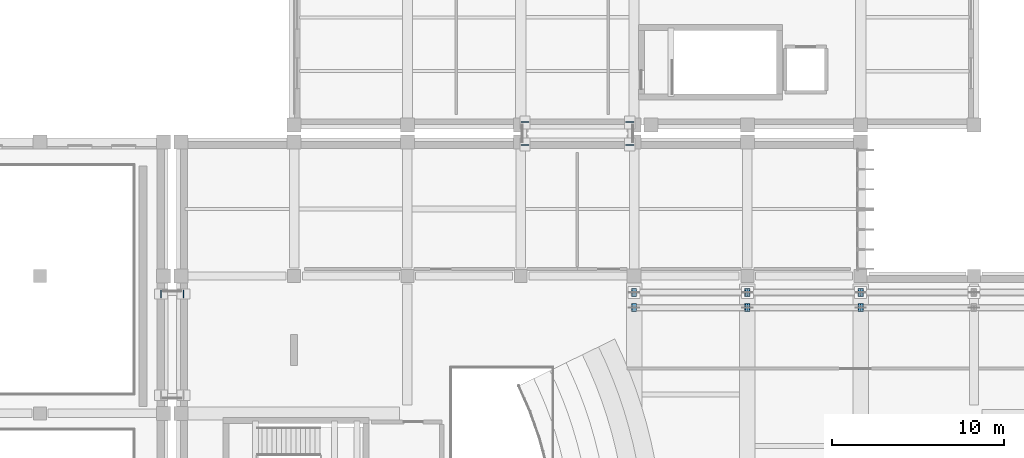
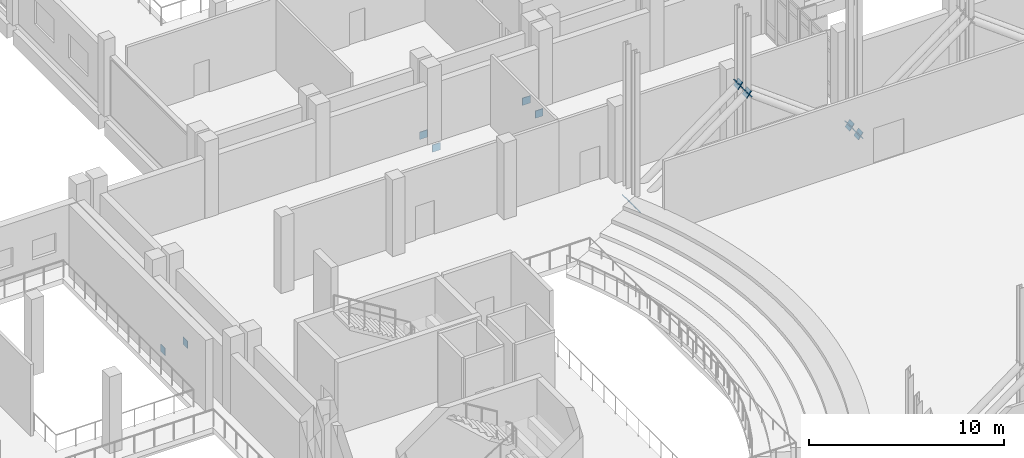
# One storey, part 60 of 73: 16 discrete accessories.
"""IFC4 building model written with IfcOpenShell, lengths in metres."""

from ifc_helpers import new_model, si_unit, direction, frame, origin, origin_2d, place, context, subcontext, project, spatial, rectangle, extrude, material, material_profile, profile_set, type_object, element, save


model = new_model("IFC4")

# Units and contexts
model_context = context("Model", 3, precision=1e-05, world=origin(), true_north=direction((0.0, 1.0)))
body_context = subcontext(model_context, "Body", "Model", "MODEL_VIEW")
ifc_project = project(units=[si_unit("LENGTHUNIT", "METRE"), si_unit("AREAUNIT", "SQUARE_METRE"), si_unit("VOLUMEUNIT", "CUBIC_METRE"), si_unit("PLANEANGLEUNIT", "RADIAN"), si_unit("MASSUNIT", "GRAM", prefix="KILO")], contexts=[model_context])

# Site, building, storey
site_placement = place(None, origin())
site = spatial("IfcSite", under=ifc_project, at=site_placement, CompositionType="ELEMENT")
building_placement = place(site_placement, origin())
building = spatial("IfcBuilding", under=site, at=building_placement, Name="Kelarvand Opera House", CompositionType="ELEMENT")
storey_placement = place(building_placement, frame((0.0, 0.0, 10.199951171875)))
storey = spatial("IfcBuildingStorey", under=building, at=storey_placement, Name="L02", CompositionType="ELEMENT", Elevation=10.199951171875)

# Discrete accessories
ifc_material = material(Name="Steel S355", Category="steel")
ifc_material_profile_1 = material_profile(ifc_material, rectangle(XDim=0.4599609375, YDim=0.4599609375, at=origin_2d()), Name="Welded Steel Hollow End-Cap Plate 460x460x24", Category="steel")
ifc_profile_set_1 = profile_set([ifc_material_profile_1], Name="Steel S355")
discrete_accessory_type_1 = type_object("IfcDiscreteAccessoryType", Name="Welded Steel Hollow End-Cap Plate 460x460x24", PredefinedType="SHOE", material=ifc_profile_set_1)
for number, where, z_axis, x_axis, name in (
    (1, (87.85791015625, 77.35009765625, -0.52001953125), (-1.0, 0.0, 0.0), (0.0, -1.0, 0.0), "Hollow Section Welded End Cap 43"),
    (2, (89.14208984375, 77.35009765625, -0.52001953125), (1.0, 0.0, 0.0), (0.0, 1.0, 0.0), "Hollow Section Welded End Cap 44"),
):
    element("IfcDiscreteAccessory", number, at=place(storey_placement, frame(where, z_axis=z_axis, x_axis=x_axis)), inside=storey, type_object=discrete_accessory_type_1, Name=name, PredefinedType="SHOE", context=body_context, shape_type="SweptSolid", body=[
        extrude(rectangle(XDim=0.4599609375, YDim=0.4599609375, at=origin_2d()), origin(), (0.0, 0.0, 1.0), 0.035888671875),
    ])
discrete_accessory_1_placement = place(storey_placement, frame((109.050048828125, 86.05810546875, -0.52001953125), z_axis=(0.0, -1.0, 0.0), x_axis=(1.0, 0.0, 0.0)))
element("IfcDiscreteAccessory", 3, at=discrete_accessory_1_placement, inside=storey, type_object=discrete_accessory_type_1, Name="Hollow Section Welded End Cap 113", PredefinedType="SHOE", context=body_context, shape_type="SweptSolid", body=[
    extrude(rectangle(XDim=0.4599609375, YDim=0.4599609375, at=origin_2d()), origin(), (0.0, 0.0, 1.0), 0.0361328125),
])
discrete_accessory_2_placement = place(storey_placement, frame((109.050048828125, 87.342041015625, -0.52001953125), z_axis=(0.0, 1.0, 0.0), x_axis=(-1.0, 0.0, 0.0)))
element("IfcDiscreteAccessory", 4, at=discrete_accessory_2_placement, inside=storey, type_object=discrete_accessory_type_1, Name="Hollow Section Welded End Cap 114", PredefinedType="SHOE", context=body_context, shape_type="SweptSolid", body=[
    extrude(rectangle(XDim=0.4599609375, YDim=0.4599609375, at=origin_2d()), origin(), (0.0, 0.0, 1.0), 0.035888671875),
])
discrete_accessory_3_placement = place(storey_placement, frame((115.14990234375, 86.05810546875, -0.52001953125), z_axis=(0.0, -1.0, 0.0), x_axis=(1.0, 0.0, 0.0)))
element("IfcDiscreteAccessory", 5, at=discrete_accessory_3_placement, inside=storey, type_object=discrete_accessory_type_1, Name="Hollow Section Welded End Cap 115", PredefinedType="SHOE", context=body_context, shape_type="SweptSolid", body=[
    extrude(rectangle(XDim=0.4599609375, YDim=0.4599609375, at=origin_2d()), origin(), (0.0, 0.0, 1.0), 0.0361328125),
])
discrete_accessory_4_placement = place(storey_placement, frame((115.14990234375, 87.342041015625, -0.52001953125), z_axis=(0.0, 1.0, 0.0), x_axis=(-1.0, 0.0, 0.0)))
element("IfcDiscreteAccessory", 6, at=discrete_accessory_4_placement, inside=storey, type_object=discrete_accessory_type_1, Name="Hollow Section Welded End Cap 116", PredefinedType="SHOE", context=body_context, shape_type="SweptSolid", body=[
    extrude(rectangle(XDim=0.4599609375, YDim=0.4599609375, at=origin_2d()), origin(), (0.0, 0.0, 1.0), 0.035888671875),
])
ifc_material_profile_2 = material_profile(ifc_material, rectangle(XDim=0.466064453125, YDim=0.466064453125, at=origin_2d()), Name="Welded Steel Hollow End-Cap Plate 466x466x24", Category="steel")
ifc_profile_set_2 = profile_set([ifc_material_profile_2], Name="Steel S355")
discrete_accessory_type_2 = type_object("IfcDiscreteAccessoryType", Name="Welded Steel Hollow End-Cap Plate 466x466x24", PredefinedType="SHOE", material=ifc_profile_set_2)
discrete_accessory_5_placement = place(storey_placement, frame((115.406494140625, 76.550048828125, -0.76513671875), z_axis=(-0.804035700636, 0.0, -0.594581022319), x_axis=(0.0, -1.0, 0.0)))
element("IfcDiscreteAccessory", 7, at=discrete_accessory_5_placement, inside=storey, type_object=discrete_accessory_type_2, Name="Hollow Section Welded End Cap 165", PredefinedType="SHOE", context=body_context, shape_type="SweptSolid", body=[
    extrude(rectangle(XDim=0.466064453125, YDim=0.466064453125, at=origin_2d()), origin(), (0.0, 0.0, 1.0), 0.0361328125),
])
for number, where, z_axis, x_axis, name in (
    (8, (121.99365234375, 76.550048828125, 4.125244140625), (0.801627475093, 0.0, 0.59782387973), (0.0, 1.0, 0.0), "Hollow Section Welded End Cap 166"),
    (9, (122.00634765625, 76.550048828125, 4.125244140625), (-0.801627475093, 0.0, 0.59782387973), (0.0, -1.0, 0.0), "Hollow Section Welded End Cap 169"),
):
    element("IfcDiscreteAccessory", number, at=place(storey_placement, frame(where, z_axis=z_axis, x_axis=x_axis)), inside=storey, type_object=discrete_accessory_type_2, Name=name, PredefinedType="SHOE", context=body_context, shape_type="SweptSolid", body=[
        extrude(rectangle(XDim=0.466064453125, YDim=0.466064453125, at=origin_2d()), origin(), (0.0, 0.0, 1.0), 0.035888671875),
    ])
for number, where, z_axis, x_axis, name in (
    (10, (128.593505859375, 76.550048828125, -0.76513671875), (0.804035700636, 0.0, -0.594581022319), (0.0, 1.0, 0.0), "Hollow Section Welded End Cap 170"),
    (11, (128.6064453125, 76.550048828125, -0.76513671875), (-0.804035700636, 0.0, -0.594581022319), (0.0, -1.0, 0.0), "Hollow Section Welded End Cap 173"),
    (12, (115.406494140625, 77.449951171875, -0.76513671875), (-0.804035700636, 0.0, -0.594581022319), (0.0, -1.0, 0.0), "Hollow Section Welded End Cap 189"),
):
    element("IfcDiscreteAccessory", number, at=place(storey_placement, frame(where, z_axis=z_axis, x_axis=x_axis)), inside=storey, type_object=discrete_accessory_type_2, Name=name, PredefinedType="SHOE", context=body_context, shape_type="SweptSolid", body=[
        extrude(rectangle(XDim=0.466064453125, YDim=0.466064453125, at=origin_2d()), origin(), (0.0, 0.0, 1.0), 0.0361328125),
    ])
for number, where, z_axis, x_axis, name in (
    (13, (121.99365234375, 77.449951171875, 4.125244140625), (0.801627475093, 0.0, 0.59782387973), (0.0, 1.0, 0.0), "Hollow Section Welded End Cap 190"),
    (14, (122.00634765625, 77.449951171875, 4.125244140625), (-0.801627475093, 0.0, 0.59782387973), (0.0, -1.0, 0.0), "Hollow Section Welded End Cap 193"),
):
    element("IfcDiscreteAccessory", number, at=place(storey_placement, frame(where, z_axis=z_axis, x_axis=x_axis)), inside=storey, type_object=discrete_accessory_type_2, Name=name, PredefinedType="SHOE", context=body_context, shape_type="SweptSolid", body=[
        extrude(rectangle(XDim=0.466064453125, YDim=0.466064453125, at=origin_2d()), origin(), (0.0, 0.0, 1.0), 0.035888671875),
    ])
for number, where, z_axis, x_axis, name in (
    (15, (128.593505859375, 77.449951171875, -0.76513671875), (0.804035700636, 0.0, -0.594581022319), (0.0, 1.0, 0.0), "Hollow Section Welded End Cap 194"),
    (16, (128.6064453125, 77.449951171875, -0.76513671875), (-0.804035700636, 0.0, -0.594581022319), (0.0, -1.0, 0.0), "Hollow Section Welded End Cap 197"),
):
    element("IfcDiscreteAccessory", number, at=place(storey_placement, frame(where, z_axis=z_axis, x_axis=x_axis)), inside=storey, type_object=discrete_accessory_type_2, Name=name, PredefinedType="SHOE", context=body_context, shape_type="SweptSolid", body=[
        extrude(rectangle(XDim=0.466064453125, YDim=0.466064453125, at=origin_2d()), origin(), (0.0, 0.0, 1.0), 0.0361328125),
    ])

save(model, "model.ifc")
